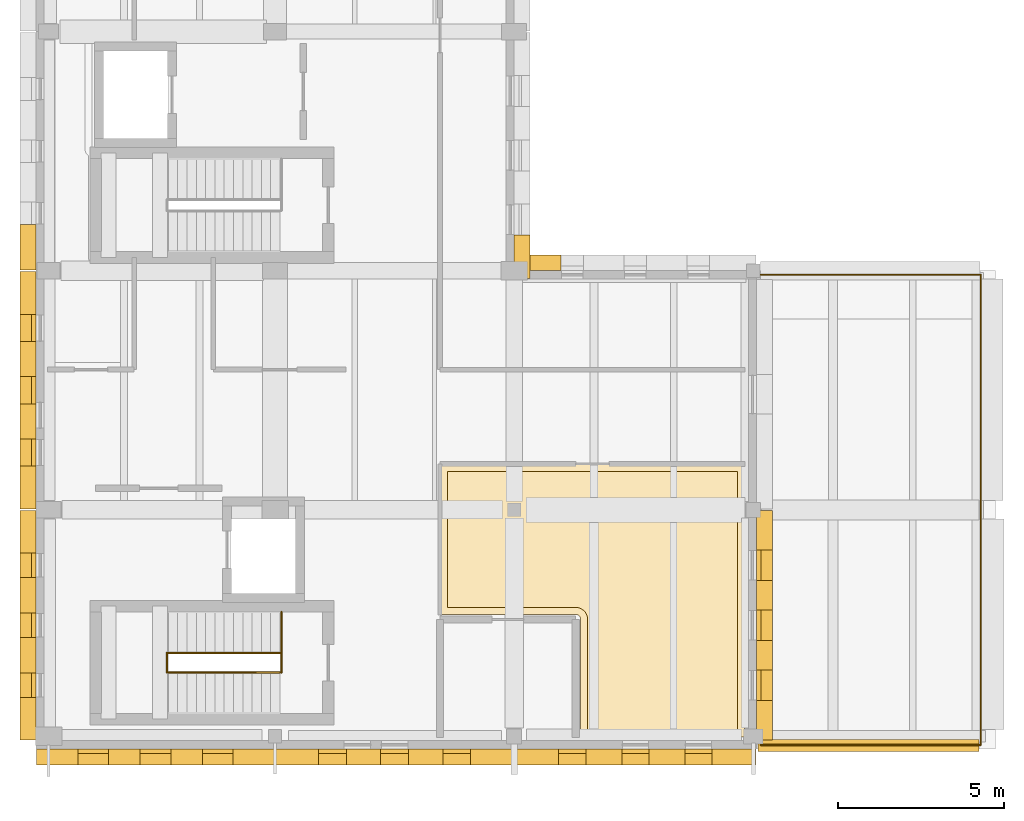
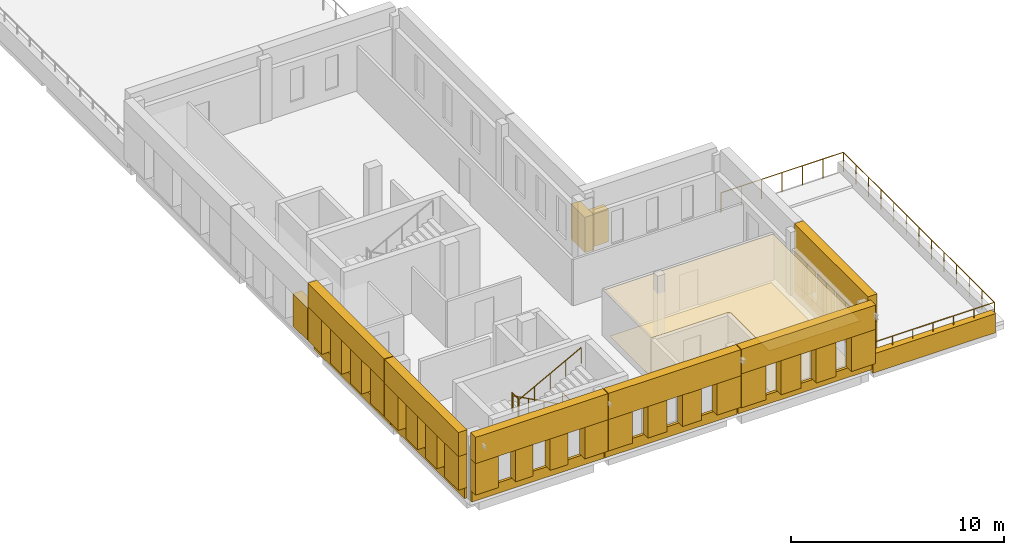
# One storey, part 6 of 8: 42 coverings, 5 railings.
"""IFC4 building model written with IfcOpenShell, lengths in metres."""

from ifc_helpers import new_model, si_unit, direction, frame, origin, origin_2d, place, context, subcontext, project, spatial, polyline, circle, outline, extrude, material, layer, layer_set, type_object, element, save


model = new_model("IFC4")

# Units and contexts
model_context = context("Model", 3, precision=1e-05, world=origin(), true_north=direction((0.0, 1.0)))
body_context = subcontext(model_context, "Body", "Model", "MODEL_VIEW")
ifc_project = project(units=[si_unit("LENGTHUNIT", "METRE"), si_unit("AREAUNIT", "SQUARE_METRE"), si_unit("VOLUMEUNIT", "CUBIC_METRE"), si_unit("PLANEANGLEUNIT", "RADIAN"), si_unit("MASSUNIT", "GRAM", prefix="KILO")], contexts=[model_context])

# Site, building, storey
site_placement = place(None, origin())
site = spatial("IfcSite", under=ifc_project, at=site_placement, CompositionType="ELEMENT")
building_placement = place(site_placement, origin())
building = spatial("IfcBuilding", under=site, at=building_placement, Name="Vardoun Plaza Health Centre", CompositionType="ELEMENT")
storey_placement = place(building_placement, frame((0.0, 0.0, 21.14990234375)))
storey = spatial("IfcBuildingStorey", under=building, at=storey_placement, Name="L05", CompositionType="ELEMENT", Elevation=21.14990234375)

# Coverings
ifc_material_1 = material(Name="Hygienic Acoustic Mineral-Fibre Ceiling", Category="concrete")
ifc_layer_1 = layer(ifc_material_1, 0.02490234375)
ifc_layer_set_1 = layer_set([ifc_layer_1], Name="Hygienic Acoustic Mineral-Fibre Ceiling")
covering_type_1 = type_object("IfcCoveringType", Name="CL-01", PredefinedType="CEILING", material=ifc_layer_set_1)
covering_1_placement = place(storey_placement, frame((0.0, 0.0, 2.580078125)))
element("IfcCovering", 1, at=covering_1_placement, inside=storey, type_object=covering_type_1, Name="Chronic Care and Diabetes Clinic Acoustic Ceiling", PredefinedType="CEILING", context=body_context, shape_type="SweptSolid", body=[
    extrude(outline(polyline([(20.903564453125, 4.860107421875), (20.903564453125, 8.40087890625), (20.903564453125, 8.4013671875), (20.90283203125, 8.4150390625), (20.902587890625, 8.416015625), (20.900634765625, 8.4296875), (20.900390625, 8.4306640625), (20.897216796875, 8.44384765625), (20.89697265625, 8.44482421875), (20.89208984375, 8.457763671875), (20.891845703125, 8.45849609375), (20.885986328125, 8.47119140625), (20.885498046875, 8.47216796875), (20.87841796875, 8.48388671875), (20.8779296875, 8.484619140625), (20.86962890625, 8.49560546875), (20.869140625, 8.496337890625), (20.85986328125, 8.506591796875), (20.859130859375, 8.50732421875), (20.84912109375, 8.5166015625), (20.848388671875, 8.51708984375), (20.83740234375, 8.525390625), (20.83642578125, 8.52587890625), (20.82470703125, 8.532958984375), (20.82373046875, 8.533203125), (20.811279296875, 8.539306640625), (20.810302734375, 8.53955078125), (20.79736328125, 8.544189453125), (20.796630859375, 8.54443359375), (20.783203125, 8.5478515625), (20.7822265625, 8.548095703125), (20.768798828125, 8.550048828125), (20.767578125, 8.55029296875), (20.75390625, 8.55078125), (20.75341796875, 8.55078125), (16.679931640625, 8.55078125), (16.679931640625, 13.070068359375), (25.840087890625, 13.070068359375), (25.840087890625, 4.860107421875), (20.903564453125, 4.860107421875)])), origin(), (0.0, 0.0, 1.0), 0.02490234375),
])
ifc_material_2 = material(Name="Pale Limestone Concrete C35/45", Category="masonry")
ifc_layer_2 = layer(ifc_material_2, 0.080078125)
ifc_layer_set_2 = layer_set([ifc_layer_2], Name="Pale Limestone Concrete C35/45")
covering_type_2 = type_object("IfcCoveringType", Name="CL-EXT1", PredefinedType="CLADDING", material=ifc_layer_set_2)
covering_2_placement = place(storey_placement, frame((0.0, 0.0, 0.550048828125)))
element("IfcCovering", 2, at=covering_2_placement, inside=storey, type_object=covering_type_2, Name="V2 L05 Deep-Punched Slot Concrete Reveal Pier 588", PredefinedType="CLADDING", context=body_context, shape_type="SweptSolid", body=[
    extrude(outline(polyline([(18.89990234375, 19.972900390625), (18.89990234375, 18.669921875), (19.3798828125, 18.669921875), (19.3798828125, 19.972900390625), (18.89990234375, 19.972900390625)])), origin(), (0.0, 0.0, 1.0), 2.02001953125),
])
covering_3_placement = place(storey_placement, frame((0.0, 0.0, 0.550048828125)))
element("IfcCovering", 3, at=covering_3_placement, inside=storey, type_object=covering_type_2, Name="V2 L05 Deep-Punched Slot Concrete Reveal Pier 591", PredefinedType="CLADDING", context=body_context, shape_type="SweptSolid", body=[
    extrude(outline(polyline([(18.919921875, 18.89990234375), (20.31201171875, 18.89990234375), (20.31201171875, 19.3798828125), (18.919921875, 19.3798828125), (18.919921875, 18.89990234375)])), origin(), (0.0, 0.0, 1.0), 1.85009765625),
])
covering_4_placement = place(storey_placement, origin())
element("IfcCovering", 4, at=covering_4_placement, inside=storey, type_object=covering_type_2, Name="V2 L05 Pale Concrete Sill Band 598", PredefinedType="CLADDING", context=body_context, shape_type="SweptSolid", body=[
    extrude(outline(polyline([(26.199951171875, 11.679931640625), (26.199951171875, 4.77001953125), (26.340087890625, 4.77001953125), (26.340087890625, 11.679931640625), (26.199951171875, 11.679931640625)])), origin(), (0.0, 0.0, 1.0), 0.550048828125),
])
covering_5_placement = place(storey_placement, frame((0.0, 0.0, 2.35009765625)))
element("IfcCovering", 5, at=covering_5_placement, inside=storey, type_object=covering_type_2, Name="V2 L05 Sculpted Concrete Eyebrow Hood 599", PredefinedType="CLADDING", context=body_context, shape_type="SweptSolid", body=[
    extrude(outline(polyline([(26.199951171875, 11.679931640625), (26.199951171875, 4.77001953125), (26.679931640625, 4.77001953125), (26.679931640625, 11.679931640625), (26.199951171875, 11.679931640625)])), origin(), (0.0, 0.0, 1.0), 1.550048828125),
])
covering_6_placement = place(storey_placement, frame((0.0, 0.0, 0.550048828125)))
element("IfcCovering", 6, at=covering_6_placement, inside=storey, type_object=covering_type_2, Name="V2 L05 Deep-Punched Slot Concrete Reveal Pier 600", PredefinedType="CLADDING", context=body_context, shape_type="SweptSolid", body=[
    extrude(outline(polyline([(26.199951171875, 11.679931640625), (26.199951171875, 10.491943359375), (26.679931640625, 10.491943359375), (26.679931640625, 11.679931640625), (26.199951171875, 11.679931640625)])), origin(), (0.0, 0.0, 1.0), 1.800048828125),
])
covering_7_placement = place(storey_placement, frame((0.0, 0.0, 0.550048828125)))
element("IfcCovering", 7, at=covering_7_placement, inside=storey, type_object=covering_type_2, Name="V2 L05 Deep-Punched Slot Concrete Reveal Pier 601", PredefinedType="CLADDING", context=body_context, shape_type="SweptSolid", body=[
    extrude(outline(polyline([(26.199951171875, 9.572021484375), (26.199951171875, 8.68505859375), (26.679931640625, 8.68505859375), (26.679931640625, 9.572021484375), (26.199951171875, 9.572021484375)])), origin(), (0.0, 0.0, 1.0), 1.800048828125),
])
covering_8_placement = place(storey_placement, frame((0.0, 0.0, 0.550048828125)))
element("IfcCovering", 8, at=covering_8_placement, inside=storey, type_object=covering_type_2, Name="V2 L05 Deep-Punched Slot Concrete Reveal Pier 602", PredefinedType="CLADDING", context=body_context, shape_type="SweptSolid", body=[
    extrude(outline(polyline([(26.199951171875, 7.764892578125), (26.199951171875, 6.8779296875), (26.679931640625, 6.8779296875), (26.679931640625, 7.764892578125), (26.199951171875, 7.764892578125)])), origin(), (0.0, 0.0, 1.0), 1.800048828125),
])
covering_9_placement = place(storey_placement, frame((0.0, 0.0, 0.550048828125)))
element("IfcCovering", 9, at=covering_9_placement, inside=storey, type_object=covering_type_2, Name="V2 L05 Deep-Punched Slot Concrete Reveal Pier 603", PredefinedType="CLADDING", context=body_context, shape_type="SweptSolid", body=[
    extrude(outline(polyline([(26.199951171875, 5.9580078125), (26.199951171875, 4.77001953125), (26.679931640625, 4.77001953125), (26.679931640625, 5.9580078125), (26.199951171875, 5.9580078125)])), origin(), (0.0, 0.0, 1.0), 1.800048828125),
])
covering_10_placement = place(storey_placement, origin())
element("IfcCovering", 10, at=covering_10_placement, inside=storey, type_object=covering_type_2, Name="V2 L05 Pale Concrete Sill Band 604", PredefinedType="CLADDING", context=body_context, shape_type="SweptSolid", body=[
    extrude(outline(polyline([(26.179931640625, 4.5), (18.919921875, 4.5), (18.919921875, 4.360107421875), (26.179931640625, 4.360107421875), (26.179931640625, 4.5)])), origin(), (0.0, 0.0, 1.0), 0.550048828125),
])
covering_11_placement = place(storey_placement, frame((0.0, 0.0, 2.5)))
element("IfcCovering", 11, at=covering_11_placement, inside=storey, type_object=covering_type_2, Name="V2 L05 Sculpted Concrete Eyebrow Hood 605", PredefinedType="CLADDING", context=body_context, shape_type="SweptSolid", body=[
    extrude(outline(polyline([(26.179931640625, 4.5), (18.919921875, 4.5), (18.919921875, 4.02001953125), (26.179931640625, 4.02001953125), (26.179931640625, 4.5)])), origin(), (0.0, 0.0, 1.0), 1.400146484375),
])
covering_12_placement = place(storey_placement, frame((0.0, 0.0, 0.550048828125)))
element("IfcCovering", 12, at=covering_12_placement, inside=storey, type_object=covering_type_2, Name="V2 L05 Deep-Punched Slot Concrete Reveal Pier 606", PredefinedType="CLADDING", context=body_context, shape_type="SweptSolid", body=[
    extrude(outline(polyline([(26.179931640625, 4.5), (24.85791015625, 4.5), (24.85791015625, 4.02001953125), (26.179931640625, 4.02001953125), (26.179931640625, 4.5)])), origin(), (0.0, 0.0, 1.0), 1.949951171875),
])
covering_13_placement = place(storey_placement, frame((0.0, 0.0, 0.550048828125)))
element("IfcCovering", 13, at=covering_13_placement, inside=storey, type_object=covering_type_2, Name="V2 L05 Deep-Punched Slot Concrete Reveal Pier 607", PredefinedType="CLADDING", context=body_context, shape_type="SweptSolid", body=[
    extrude(outline(polyline([(24.0380859375, 4.5), (22.9599609375, 4.5), (22.9599609375, 4.02001953125), (24.0380859375, 4.02001953125), (24.0380859375, 4.5)])), origin(), (0.0, 0.0, 1.0), 1.949951171875),
])
covering_14_placement = place(storey_placement, frame((0.0, 0.0, 0.550048828125)))
element("IfcCovering", 14, at=covering_14_placement, inside=storey, type_object=covering_type_2, Name="V2 L05 Deep-Punched Slot Concrete Reveal Pier 608", PredefinedType="CLADDING", context=body_context, shape_type="SweptSolid", body=[
    extrude(outline(polyline([(22.139892578125, 4.5), (21.06201171875, 4.5), (21.06201171875, 4.02001953125), (22.139892578125, 4.02001953125), (22.139892578125, 4.5)])), origin(), (0.0, 0.0, 1.0), 1.949951171875),
])
covering_15_placement = place(storey_placement, frame((0.0, 0.0, 0.550048828125)))
element("IfcCovering", 15, at=covering_15_placement, inside=storey, type_object=covering_type_2, Name="V2 L05 Deep-Punched Slot Concrete Reveal Pier 609", PredefinedType="CLADDING", context=body_context, shape_type="SweptSolid", body=[
    extrude(outline(polyline([(20.241943359375, 4.5), (18.919921875, 4.5), (18.919921875, 4.02001953125), (20.241943359375, 4.02001953125), (20.241943359375, 4.5)])), origin(), (0.0, 0.0, 1.0), 1.949951171875),
])
covering_16_placement = place(storey_placement, origin())
element("IfcCovering", 16, at=covering_16_placement, inside=storey, type_object=covering_type_2, Name="V2 L05 Pale Concrete Sill Band 610", PredefinedType="CLADDING", context=body_context, shape_type="SweptSolid", body=[
    extrude(outline(polyline([(18.8798828125, 4.5), (11.719970703125, 4.5), (11.719970703125, 4.360107421875), (18.8798828125, 4.360107421875), (18.8798828125, 4.5)])), origin(), (0.0, 0.0, 1.0), 0.60009765625),
])
covering_17_placement = place(storey_placement, frame((0.0, 0.0, 2.400146484375)))
element("IfcCovering", 17, at=covering_17_placement, inside=storey, type_object=covering_type_2, Name="V2 L05 Sculpted Concrete Eyebrow Hood 611", PredefinedType="CLADDING", context=body_context, shape_type="SweptSolid", body=[
    extrude(outline(polyline([(18.8798828125, 4.5), (11.719970703125, 4.5), (11.719970703125, 4.02001953125), (18.8798828125, 4.02001953125), (18.8798828125, 4.5)])), origin(), (0.0, 0.0, 1.0), 1.5),
])
covering_18_placement = place(storey_placement, frame((0.0, 0.0, 0.60009765625)))
element("IfcCovering", 18, at=covering_18_placement, inside=storey, type_object=covering_type_2, Name="V2 L05 Deep-Punched Slot Concrete Reveal Pier 612", PredefinedType="CLADDING", context=body_context, shape_type="SweptSolid", body=[
    extrude(outline(polyline([(18.8798828125, 4.5), (17.592041015625, 4.5), (17.592041015625, 4.02001953125), (18.8798828125, 4.02001953125), (18.8798828125, 4.5)])), origin(), (0.0, 0.0, 1.0), 1.800048828125),
])
covering_19_placement = place(storey_placement, frame((0.0, 0.0, 0.60009765625)))
element("IfcCovering", 19, at=covering_19_placement, inside=storey, type_object=covering_type_2, Name="V2 L05 Deep-Punched Slot Concrete Reveal Pier 613", PredefinedType="CLADDING", context=body_context, shape_type="SweptSolid", body=[
    extrude(outline(polyline([(16.751953125, 4.5), (15.719970703125, 4.5), (15.719970703125, 4.02001953125), (16.751953125, 4.02001953125), (16.751953125, 4.5)])), origin(), (0.0, 0.0, 1.0), 1.800048828125),
])
covering_20_placement = place(storey_placement, frame((0.0, 0.0, 0.60009765625)))
element("IfcCovering", 20, at=covering_20_placement, inside=storey, type_object=covering_type_2, Name="V2 L05 Deep-Punched Slot Concrete Reveal Pier 614", PredefinedType="CLADDING", context=body_context, shape_type="SweptSolid", body=[
    extrude(outline(polyline([(14.8798828125, 4.5), (13.847900390625, 4.5), (13.847900390625, 4.02001953125), (14.8798828125, 4.02001953125), (14.8798828125, 4.5)])), origin(), (0.0, 0.0, 1.0), 1.800048828125),
])
covering_21_placement = place(storey_placement, frame((0.0, 0.0, 0.60009765625)))
element("IfcCovering", 21, at=covering_21_placement, inside=storey, type_object=covering_type_2, Name="V2 L05 Deep-Punched Slot Concrete Reveal Pier 615", PredefinedType="CLADDING", context=body_context, shape_type="SweptSolid", body=[
    extrude(outline(polyline([(13.008056640625, 4.5), (11.719970703125, 4.5), (11.719970703125, 4.02001953125), (13.008056640625, 4.02001953125), (13.008056640625, 4.5)])), origin(), (0.0, 0.0, 1.0), 1.800048828125),
])
covering_22_placement = place(storey_placement, origin())
element("IfcCovering", 22, at=covering_22_placement, inside=storey, type_object=covering_type_2, Name="V2 L05 Pale Concrete Sill Band 616", PredefinedType="CLADDING", context=body_context, shape_type="SweptSolid", body=[
    extrude(outline(polyline([(11.679931640625, 4.5), (4.52001953125, 4.5), (4.52001953125, 4.360107421875), (11.679931640625, 4.360107421875), (11.679931640625, 4.5)])), origin(), (0.0, 0.0, 1.0), 0.60009765625),
])
covering_23_placement = place(storey_placement, frame((0.0, 0.0, 2.400146484375)))
element("IfcCovering", 23, at=covering_23_placement, inside=storey, type_object=covering_type_2, Name="V2 L05 Sculpted Concrete Eyebrow Hood 617", PredefinedType="CLADDING", context=body_context, shape_type="SweptSolid", body=[
    extrude(outline(polyline([(11.679931640625, 4.5), (4.52001953125, 4.5), (4.52001953125, 4.02001953125), (11.679931640625, 4.02001953125), (11.679931640625, 4.5)])), origin(), (0.0, 0.0, 1.0), 1.5),
])
covering_24_placement = place(storey_placement, frame((0.0, 0.0, 0.60009765625)))
element("IfcCovering", 24, at=covering_24_placement, inside=storey, type_object=covering_type_2, Name="V2 L05 Deep-Punched Slot Concrete Reveal Pier 618", PredefinedType="CLADDING", context=body_context, shape_type="SweptSolid", body=[
    extrude(outline(polyline([(11.679931640625, 4.5), (10.431884765625, 4.5), (10.431884765625, 4.02001953125), (11.679931640625, 4.02001953125), (11.679931640625, 4.5)])), origin(), (0.0, 0.0, 1.0), 1.800048828125),
])
covering_25_placement = place(storey_placement, frame((0.0, 0.0, 0.60009765625)))
element("IfcCovering", 25, at=covering_25_placement, inside=storey, type_object=covering_type_2, Name="V2 L05 Deep-Punched Slot Concrete Reveal Pier 619", PredefinedType="CLADDING", context=body_context, shape_type="SweptSolid", body=[
    extrude(outline(polyline([(9.511962890625, 4.5), (8.56005859375, 4.5), (8.56005859375, 4.02001953125), (9.511962890625, 4.02001953125), (9.511962890625, 4.5)])), origin(), (0.0, 0.0, 1.0), 1.800048828125),
])
covering_26_placement = place(storey_placement, frame((0.0, 0.0, 0.60009765625)))
element("IfcCovering", 26, at=covering_26_placement, inside=storey, type_object=covering_type_2, Name="V2 L05 Deep-Punched Slot Concrete Reveal Pier 620", PredefinedType="CLADDING", context=body_context, shape_type="SweptSolid", body=[
    extrude(outline(polyline([(7.639892578125, 4.5), (6.68798828125, 4.5), (6.68798828125, 4.02001953125), (7.639892578125, 4.02001953125), (7.639892578125, 4.5)])), origin(), (0.0, 0.0, 1.0), 1.800048828125),
])
covering_27_placement = place(storey_placement, frame((0.0, 0.0, 0.60009765625)))
element("IfcCovering", 27, at=covering_27_placement, inside=storey, type_object=covering_type_2, Name="V2 L05 Deep-Punched Slot Concrete Reveal Pier 621", PredefinedType="CLADDING", context=body_context, shape_type="SweptSolid", body=[
    extrude(outline(polyline([(5.76806640625, 4.5), (4.52001953125, 4.5), (4.52001953125, 4.02001953125), (5.76806640625, 4.02001953125), (5.76806640625, 4.5)])), origin(), (0.0, 0.0, 1.0), 1.800048828125),
])
covering_28_placement = place(storey_placement, origin())
element("IfcCovering", 28, at=covering_28_placement, inside=storey, type_object=covering_type_2, Name="V2 L05 Pale Concrete Sill Band 622", PredefinedType="CLADDING", context=body_context, shape_type="SweptSolid", body=[
    extrude(outline(polyline([(4.5, 4.77001953125), (4.5, 11.679931640625), (4.360107421875, 11.679931640625), (4.360107421875, 4.77001953125), (4.5, 4.77001953125)])), origin(), (0.0, 0.0, 1.0), 0.60009765625),
])
covering_29_placement = place(storey_placement, frame((0.0, 0.0, 2.52001953125)))
element("IfcCovering", 29, at=covering_29_placement, inside=storey, type_object=covering_type_2, Name="V2 L05 Sculpted Concrete Eyebrow Hood 623", PredefinedType="CLADDING", context=body_context, shape_type="SweptSolid", body=[
    extrude(outline(polyline([(4.5, 4.77001953125), (4.5, 11.679931640625), (4.02001953125, 11.679931640625), (4.02001953125, 4.77001953125), (4.5, 4.77001953125)])), origin(), (0.0, 0.0, 1.0), 1.380126953125),
])
covering_30_placement = place(storey_placement, frame((0.0, 0.0, 0.60009765625)))
element("IfcCovering", 30, at=covering_30_placement, inside=storey, type_object=covering_type_2, Name="V2 L05 Deep-Punched Slot Concrete Reveal Pier 624", PredefinedType="CLADDING", context=body_context, shape_type="SweptSolid", body=[
    extrude(outline(polyline([(4.5, 4.77001953125), (4.5, 6.048095703125), (4.02001953125, 6.048095703125), (4.02001953125, 4.77001953125), (4.5, 4.77001953125)])), origin(), (0.0, 0.0, 1.0), 1.919921875),
])
covering_31_placement = place(storey_placement, frame((0.0, 0.0, 0.60009765625)))
element("IfcCovering", 31, at=covering_31_placement, inside=storey, type_object=covering_type_2, Name="V2 L05 Deep-Punched Slot Concrete Reveal Pier 625", PredefinedType="CLADDING", context=body_context, shape_type="SweptSolid", body=[
    extrude(outline(polyline([(4.5, 6.7880859375), (4.5, 7.85498046875), (4.02001953125, 7.85498046875), (4.02001953125, 6.7880859375), (4.5, 6.7880859375)])), origin(), (0.0, 0.0, 1.0), 1.919921875),
])
covering_32_placement = place(storey_placement, frame((0.0, 0.0, 0.60009765625)))
element("IfcCovering", 32, at=covering_32_placement, inside=storey, type_object=covering_type_2, Name="V2 L05 Deep-Punched Slot Concrete Reveal Pier 626", PredefinedType="CLADDING", context=body_context, shape_type="SweptSolid", body=[
    extrude(outline(polyline([(4.5, 8.594970703125), (4.5, 9.662109375), (4.02001953125, 9.662109375), (4.02001953125, 8.594970703125), (4.5, 8.594970703125)])), origin(), (0.0, 0.0, 1.0), 1.919921875),
])
covering_33_placement = place(storey_placement, frame((0.0, 0.0, 0.60009765625)))
element("IfcCovering", 33, at=covering_33_placement, inside=storey, type_object=covering_type_2, Name="V2 L05 Deep-Punched Slot Concrete Reveal Pier 627", PredefinedType="CLADDING", context=body_context, shape_type="SweptSolid", body=[
    extrude(outline(polyline([(4.5, 10.402099609375), (4.5, 11.679931640625), (4.02001953125, 11.679931640625), (4.02001953125, 10.402099609375), (4.5, 10.402099609375)])), origin(), (0.0, 0.0, 1.0), 1.919921875),
])
covering_34_placement = place(storey_placement, origin())
element("IfcCovering", 34, at=covering_34_placement, inside=storey, type_object=covering_type_2, Name="V2 L05 Pale Concrete Sill Band 628", PredefinedType="CLADDING", context=body_context, shape_type="SweptSolid", body=[
    extrude(outline(polyline([(4.5, 11.719970703125), (4.5, 18.8798828125), (4.360107421875, 18.8798828125), (4.360107421875, 11.719970703125), (4.5, 11.719970703125)])), origin(), (0.0, 0.0, 1.0), 0.60009765625),
])
covering_35_placement = place(storey_placement, frame((0.0, 0.0, 2.550048828125)))
element("IfcCovering", 35, at=covering_35_placement, inside=storey, type_object=covering_type_2, Name="V2 L05 Sculpted Concrete Eyebrow Hood 629", PredefinedType="CLADDING", context=body_context, shape_type="SweptSolid", body=[
    extrude(outline(polyline([(4.5, 11.719970703125), (4.5, 18.8798828125), (4.02001953125, 18.8798828125), (4.02001953125, 11.719970703125), (4.5, 11.719970703125)])), origin(), (0.0, 0.0, 1.0), 1.35009765625),
])
covering_36_placement = place(storey_placement, frame((0.0, 0.0, 0.60009765625)))
element("IfcCovering", 36, at=covering_36_placement, inside=storey, type_object=covering_type_2, Name="V2 L05 Deep-Punched Slot Concrete Reveal Pier 630", PredefinedType="CLADDING", context=body_context, shape_type="SweptSolid", body=[
    extrude(outline(polyline([(4.5, 11.719970703125), (4.5, 13.01806640625), (4.02001953125, 13.01806640625), (4.02001953125, 11.719970703125), (4.5, 11.719970703125)])), origin(), (0.0, 0.0, 1.0), 1.949951171875),
])
covering_37_placement = place(storey_placement, frame((0.0, 0.0, 0.60009765625)))
element("IfcCovering", 37, at=covering_37_placement, inside=storey, type_object=covering_type_2, Name="V2 L05 Deep-Punched Slot Concrete Reveal Pier 631", PredefinedType="CLADDING", context=body_context, shape_type="SweptSolid", body=[
    extrude(outline(polyline([(4.5, 13.837890625), (4.5, 14.889892578125), (4.02001953125, 14.889892578125), (4.02001953125, 13.837890625), (4.5, 13.837890625)])), origin(), (0.0, 0.0, 1.0), 1.949951171875),
])
covering_38_placement = place(storey_placement, frame((0.0, 0.0, 0.60009765625)))
element("IfcCovering", 38, at=covering_38_placement, inside=storey, type_object=covering_type_2, Name="V2 L05 Deep-Punched Slot Concrete Reveal Pier 632", PredefinedType="CLADDING", context=body_context, shape_type="SweptSolid", body=[
    extrude(outline(polyline([(4.5, 15.7099609375), (4.5, 16.761962890625), (4.02001953125, 16.761962890625), (4.02001953125, 15.7099609375), (4.5, 15.7099609375)])), origin(), (0.0, 0.0, 1.0), 1.949951171875),
])
covering_39_placement = place(storey_placement, frame((0.0, 0.0, 0.60009765625)))
element("IfcCovering", 39, at=covering_39_placement, inside=storey, type_object=covering_type_2, Name="V2 L05 Deep-Punched Slot Concrete Reveal Pier 633", PredefinedType="CLADDING", context=body_context, shape_type="SweptSolid", body=[
    extrude(outline(polyline([(4.5, 17.58203125), (4.5, 18.8798828125), (4.02001953125, 18.8798828125), (4.02001953125, 17.58203125), (4.5, 17.58203125)])), origin(), (0.0, 0.0, 1.0), 1.949951171875),
])
covering_40_placement = place(storey_placement, frame((0.0, 0.0, 0.60009765625)))
element("IfcCovering", 40, at=covering_40_placement, inside=storey, type_object=covering_type_2, Name="V2 L05 Deep-Punched Slot Concrete Reveal Pier 636", PredefinedType="CLADDING", context=body_context, shape_type="SweptSolid", body=[
    extrude(outline(polyline([(4.5, 18.919921875), (4.5, 20.2880859375), (4.02001953125, 20.2880859375), (4.02001953125, 18.919921875), (4.5, 18.919921875)])), origin(), (0.0, 0.0, 1.0), 1.85009765625),
])
covering_41_placement = place(storey_placement, frame((0.0, 0.0, -0.27978515625)))
element("IfcCovering", 41, at=covering_41_placement, inside=storey, type_object=covering_type_2, Name="V2 L05 Sculpted White Terrace Planter Ribbon S2", PredefinedType="CLADDING", context=body_context, shape_type="SweptSolid", body=[
    extrude(outline(polyline([(26.25, 4.419921875), (32.89990234375, 4.419921875), (32.89990234375, 4.780029296875), (26.25, 4.780029296875), (26.25, 4.419921875)])), origin(), (0.0, 0.0, 1.0), 1.08984375),
])
ifc_material_3 = material(Name="Seamless Conductive Clinical Vinyl Flooring", Category="concrete")
ifc_layer_3 = layer(ifc_material_3, 0.014892578125)
ifc_layer_set_3 = layer_set([ifc_layer_3], Name="Seamless Conductive Clinical Vinyl Flooring")
covering_type_3 = type_object("IfcCoveringType", Name="FL-01", PredefinedType="FLOORING", material=ifc_layer_set_3)
covering_42_placement = place(storey_placement, origin())
element("IfcCovering", 42, at=covering_42_placement, inside=storey, type_object=covering_type_3, Name="Chronic Care and Diabetes Clinic Floor Finish", PredefinedType="FLOORING", context=body_context, shape_type="SweptSolid", body=[
    extrude(outline(polyline([(21.113525390625, 5.070068359375), (21.113525390625, 8.40087890625), (21.11328125, 8.412109375), (21.112548828125, 8.42578125), (21.110595703125, 8.446533203125), (21.1083984375, 8.460205078125), (21.104248046875, 8.481201171875), (21.10107421875, 8.494384765625), (21.09423828125, 8.516845703125), (21.089599609375, 8.52978515625), (21.08251953125, 8.547119140625), (21.07666015625, 8.5595703125), (21.0654296875, 8.580322265625), (21.058349609375, 8.592041015625), (21.04638671875, 8.610107421875), (21.0380859375, 8.62109375), (21.025146484375, 8.636962890625), (21.015869140625, 8.647216796875), (20.999755859375, 8.663330078125), (20.989501953125, 8.672607421875), (20.973876953125, 8.685546875), (20.962890625, 8.693603515625), (20.943603515625, 8.70654296875), (20.931640625, 8.71337890625), (20.9140625, 8.722900390625), (20.901611328125, 8.72900390625), (20.880615234375, 8.737548828125), (20.867431640625, 8.7421875), (20.8486328125, 8.747802734375), (20.835205078125, 8.751220703125), (20.812744140625, 8.755859375), (20.79931640625, 8.7578125), (20.7783203125, 8.760009765625), (20.7646484375, 8.760498046875), (20.75341796875, 8.760986328125), (16.889892578125, 8.760986328125), (16.889892578125, 12.860107421875), (25.6298828125, 12.860107421875), (25.6298828125, 5.070068359375), (21.113525390625, 5.070068359375)])), origin(), (0.0, 0.0, 1.0), 0.01513671875),
])

# Railings
ifc_material_4 = material(Name="Painted Steel S275JR Stair-Well Guardrail", Category="steel")
railing_type_1 = type_object("IfcRailingType", Name="GR-04", PredefinedType="GUARDRAIL", material=ifc_material_4)
railing_1_placement = place(storey_placement, frame((11.889892578125, 6.804931640625, 0.0)))
element("IfcRailing", 43, at=railing_1_placement, inside=storey, type_object=railing_type_1, Name="Stair ST-C1-L04 Upper Landing Well Guard", PredefinedType="GUARDRAIL", context=body_context, shape_type="SweptSolid", body=[
    extrude(circle(Radius=0.02392578125, at=origin_2d()), frame((0.0, 0.0, 1.09619140625), z_axis=(0.0, 1.0, 0.0), x_axis=(-1.0, 0.0, 0.0)), (0.0, 0.0, 1.0), 1.815185546875),
    extrude(circle(Radius=0.02099609375, at=origin_2d()), origin(), (0.0, 0.0, 1.0), 1.072021484375),
    extrude(circle(Radius=0.02099609375, at=origin_2d()), frame((0.0, 0.90771484375, 0.0)), (0.0, 0.0, 1.0), 1.072021484375),
    extrude(circle(Radius=0.02099609375, at=origin_2d()), frame((0.0, 1.815185546875, 0.0)), (0.0, 0.0, 1.0), 1.072021484375),
])
railing_2_placement = place(storey_placement, frame((8.449951171875, 6.804931640625, 1.9501953125)))
element("IfcRailing", 44, at=railing_2_placement, inside=storey, type_object=railing_type_1, Name="Stair ST-C1-L05 Mid-Landing Well Guard", PredefinedType="GUARDRAIL", context=body_context, shape_type="SweptSolid", body=[
    extrude(circle(Radius=0.02392578125, at=origin_2d()), frame((0.0, 0.0, 1.09619140625), z_axis=(0.0, 1.0, 0.0), x_axis=(-1.0, 0.0, 0.0)), (0.0, 0.0, 1.0), 0.590087890625),
    extrude(circle(Radius=0.02099609375, at=origin_2d()), origin(), (0.0, 0.0, 1.0), 1.072021484375),
    extrude(circle(Radius=0.02099609375, at=origin_2d()), frame((0.0, 0.590087890625, 0.0)), (0.0, 0.0, 1.0), 1.072021484375),
])
ifc_material_5 = material(Name="Brushed Stainless Steel Grade 316L", Category="steel")
railing_type_2 = type_object("IfcRailingType", Name="HR-01", PredefinedType="HANDRAIL", material=ifc_material_5)
railing_3_placement = place(storey_placement, frame((11.85009765625, 7.39501953125, 0.150146484375)))
element("IfcRailing", 45, at=railing_3_placement, inside=storey, type_object=railing_type_2, Name="Stair ST-C1-L05 Flight 1 Handrail", PredefinedType="HANDRAIL", context=body_context, shape_type="SweptSolid", body=[
    extrude(circle(Radius=0.02392578125, at=origin_2d()), frame((0.0, 0.0, 0.89599609375), z_axis=(-0.881480922165, 0.0, 0.47221963519), x_axis=(0.0, -1.0, 0.0)), (0.0, 0.0, 1.0), 3.811767578125),
    extrude(circle(Radius=0.02099609375, at=origin_2d()), origin(), (0.0, 0.0, 1.0), 0.871826171875),
    extrude(circle(Radius=0.02099609375, at=origin_2d()), frame((-0.840087890625, 0.0, 0.449951171875)), (0.0, 0.0, 1.0), 0.871826171875),
    extrude(circle(Radius=0.02099609375, at=origin_2d()), frame((-1.68017578125, 0.0, 0.89990234375)), (0.0, 0.0, 1.0), 0.871826171875),
    extrude(circle(Radius=0.02099609375, at=origin_2d()), frame((-2.52001953125, 0.0, 1.35009765625)), (0.0, 0.0, 1.0), 0.871826171875),
    extrude(circle(Radius=0.02099609375, at=origin_2d()), frame((-3.360107421875, 0.0, 1.800048828125)), (0.0, 0.0, 1.0), 0.871826171875),
])
railing_4_placement = place(storey_placement, frame((8.489990234375, 6.804931640625, 2.10009765625)))
element("IfcRailing", 46, at=railing_4_placement, inside=storey, type_object=railing_type_2, Name="Stair ST-C1-L05 Flight 2 Handrail", PredefinedType="HANDRAIL", context=body_context, shape_type="SweptSolid", body=[
    extrude(circle(Radius=0.02392578125, at=origin_2d()), frame((0.0, 0.0, 0.89599609375), z_axis=(0.881480922165, 0.0, 0.47221963519), x_axis=(0.0, 1.0, 0.0)), (0.0, 0.0, 1.0), 3.811767578125),
    extrude(circle(Radius=0.02099609375, at=origin_2d()), origin(), (0.0, 0.0, 1.0), 0.871826171875),
    extrude(circle(Radius=0.02099609375, at=origin_2d()), frame((0.840087890625, 0.0, 0.449951171875)), (0.0, 0.0, 1.0), 0.871826171875),
    extrude(circle(Radius=0.02099609375, at=origin_2d()), frame((1.68017578125, 0.0, 0.89990234375)), (0.0, 0.0, 1.0), 0.871826171875),
    extrude(circle(Radius=0.02099609375, at=origin_2d()), frame((2.52001953125, 0.0, 1.35009765625)), (0.0, 0.0, 1.0), 0.871826171875),
    extrude(circle(Radius=0.02099609375, at=origin_2d()), frame((3.360107421875, 0.0, 1.800048828125)), (0.0, 0.0, 1.0), 0.871826171875),
])
ifc_material_6 = material(Name="Galvanised Steel S275JR and Laminated Glass", Category="steel")
railing_type_3 = type_object("IfcRailingType", Name="GR-01", PredefinedType="BALUSTRADE", material=ifc_material_6)
railing_5_placement = place(storey_placement, frame((26.320068359375, 4.6201171875, 0.190185546875)))
element("IfcRailing", 47, at=railing_5_placement, inside=storey, type_object=railing_type_3, Name="V2 L05 Terrace Balustrade 2", PredefinedType="BALUSTRADE", context=body_context, shape_type="SweptSolid", body=[
    extrude(circle(Radius=0.02392578125, at=origin_2d()), frame((0.0, 0.0, 1.1259765625), z_axis=(1.0, 0.0, 0.0), x_axis=(0.0, 1.0, 0.0)), (0.0, 0.0, 1.0), 6.6298828125),
    extrude(circle(Radius=0.02392578125, at=origin_2d()), frame((6.6298828125, 0.0, 1.1259765625), z_axis=(0.0, 1.0, 0.0), x_axis=(-1.0, 0.0, 0.0)), (0.0, 0.0, 1.0), 14.159912109375),
    extrude(circle(Radius=0.02392578125, at=origin_2d()), frame((6.6298828125, 14.159912109375, 1.1259765625), z_axis=(-1.0, 0.0, 0.0), x_axis=(0.0, -1.0, 0.0)), (0.0, 0.0, 1.0), 6.6298828125),
    extrude(circle(Radius=0.02099609375, at=origin_2d()), origin(), (0.0, 0.0, 1.0), 1.101806640625),
    extrude(circle(Radius=0.02099609375, at=origin_2d()), frame((1.10498046875, 0.0, 0.0)), (0.0, 0.0, 1.0), 1.101806640625),
    extrude(circle(Radius=0.02099609375, at=origin_2d()), frame((2.2099609375, 0.0, 0.0)), (0.0, 0.0, 1.0), 1.101806640625),
    extrude(circle(Radius=0.02099609375, at=origin_2d()), frame((3.31494140625, 0.0, 0.0)), (0.0, 0.0, 1.0), 1.101806640625),
    extrude(circle(Radius=0.02099609375, at=origin_2d()), frame((4.419921875, 0.0, 0.0)), (0.0, 0.0, 1.0), 1.101806640625),
    extrude(circle(Radius=0.02099609375, at=origin_2d()), frame((5.52490234375, 0.0, 0.0)), (0.0, 0.0, 1.0), 1.101806640625),
    extrude(circle(Radius=0.02099609375, at=origin_2d()), frame((6.6298828125, 0.0, 0.0)), (0.0, 0.0, 1.0), 1.101806640625),
    extrude(circle(Radius=0.02099609375, at=origin_2d()), frame((6.6298828125, 1.179931640625, 0.0)), (0.0, 0.0, 1.0), 1.101806640625),
    extrude(circle(Radius=0.02099609375, at=origin_2d()), frame((6.6298828125, 2.35986328125, 0.0)), (0.0, 0.0, 1.0), 1.101806640625),
    extrude(circle(Radius=0.02099609375, at=origin_2d()), frame((6.6298828125, 3.5400390625, 0.0)), (0.0, 0.0, 1.0), 1.101806640625),
    extrude(circle(Radius=0.02099609375, at=origin_2d()), frame((6.6298828125, 4.719970703125, 0.0)), (0.0, 0.0, 1.0), 1.101806640625),
    extrude(circle(Radius=0.02099609375, at=origin_2d()), frame((6.6298828125, 5.89990234375, 0.0)), (0.0, 0.0, 1.0), 1.101806640625),
    extrude(circle(Radius=0.02099609375, at=origin_2d()), frame((6.6298828125, 7.080078125, 0.0)), (0.0, 0.0, 1.0), 1.101806640625),
    extrude(circle(Radius=0.02099609375, at=origin_2d()), frame((6.6298828125, 8.260009765625, 0.0)), (0.0, 0.0, 1.0), 1.101806640625),
    extrude(circle(Radius=0.02099609375, at=origin_2d()), frame((6.6298828125, 9.43994140625, 0.0)), (0.0, 0.0, 1.0), 1.101806640625),
    extrude(circle(Radius=0.02099609375, at=origin_2d()), frame((6.6298828125, 10.619873046875, 0.0)), (0.0, 0.0, 1.0), 1.101806640625),
    extrude(circle(Radius=0.02099609375, at=origin_2d()), frame((6.6298828125, 11.7998046875, 0.0)), (0.0, 0.0, 1.0), 1.101806640625),
    extrude(circle(Radius=0.02099609375, at=origin_2d()), frame((6.6298828125, 12.97998046875, 0.0)), (0.0, 0.0, 1.0), 1.101806640625),
    extrude(circle(Radius=0.02099609375, at=origin_2d()), frame((6.6298828125, 14.159912109375, 0.0)), (0.0, 0.0, 1.0), 1.101806640625),
    extrude(circle(Radius=0.02099609375, at=origin_2d()), frame((5.52490234375, 14.159912109375, 0.0)), (0.0, 0.0, 1.0), 1.101806640625),
    extrude(circle(Radius=0.02099609375, at=origin_2d()), frame((4.419921875, 14.159912109375, 0.0)), (0.0, 0.0, 1.0), 1.101806640625),
    extrude(circle(Radius=0.02099609375, at=origin_2d()), frame((3.31494140625, 14.159912109375, 0.0)), (0.0, 0.0, 1.0), 1.101806640625),
    extrude(circle(Radius=0.02099609375, at=origin_2d()), frame((2.2099609375, 14.159912109375, 0.0)), (0.0, 0.0, 1.0), 1.101806640625),
    extrude(circle(Radius=0.02099609375, at=origin_2d()), frame((1.10498046875, 14.159912109375, 0.0)), (0.0, 0.0, 1.0), 1.101806640625),
    extrude(circle(Radius=0.02099609375, at=origin_2d()), frame((0.0, 14.159912109375, 0.0)), (0.0, 0.0, 1.0), 1.101806640625),
])

save(model, "model.ifc")
